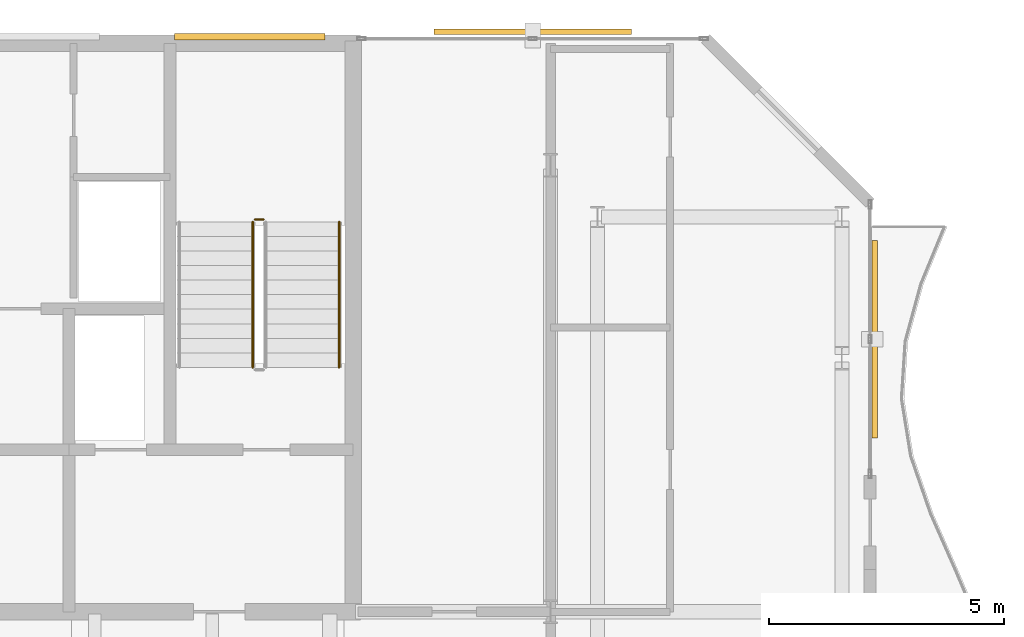
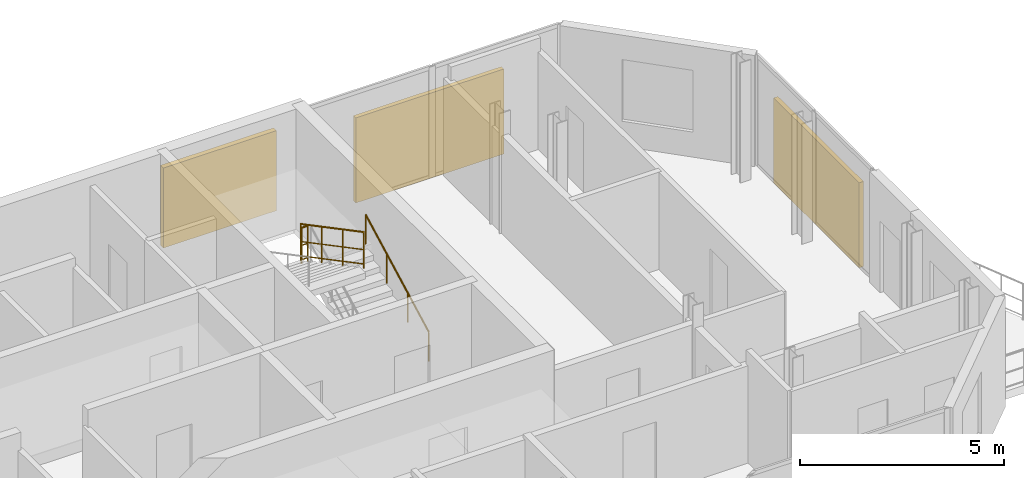
# One storey, part 23 of 23: 3 railings, 3 shading devices.
"""IFC4 building model written with IfcOpenShell, lengths in metres."""

from ifc_helpers import new_model, si_unit, direction, frame, origin, origin_2d, place, context, subcontext, project, spatial, rectangle, circle, extrude, material, type_object, element, save


model = new_model("IFC4")

# Units and contexts
model_context = context("Model", 3, precision=1e-05, world=origin(), true_north=direction((0.0, 1.0)))
body_context = subcontext(model_context, "Body", "Model", "MODEL_VIEW")
ifc_project = project(units=[si_unit("LENGTHUNIT", "METRE"), si_unit("AREAUNIT", "SQUARE_METRE"), si_unit("VOLUMEUNIT", "CUBIC_METRE"), si_unit("PLANEANGLEUNIT", "RADIAN"), si_unit("MASSUNIT", "GRAM", prefix="KILO")], contexts=[model_context])

# Site, building, storey
site_placement = place(None, origin())
site = spatial("IfcSite", under=ifc_project, at=site_placement, CompositionType="ELEMENT")
building_placement = place(site_placement, origin())
building = spatial("IfcBuilding", under=site, at=building_placement, Name="Catumbela Crestline Tower", CompositionType="ELEMENT")
storey_placement = place(building_placement, frame((0.0, 0.0, 193.8)))
storey = spatial("IfcBuildingStorey", under=building, at=storey_placement, Name="L50", CompositionType="ELEMENT", Elevation=193.8)

# Railings
ifc_material_1 = material(Name="Stainless steel EN 1.4401", Category="steel")
railing_type_1 = type_object("IfcRailingType", Name="RG-1100", PredefinedType="GUARDRAIL", material=ifc_material_1)
railing_1_placement = place(storey_placement, frame((38.09, 39.15, 1.8)))
element("IfcRailing", 1, at=railing_1_placement, inside=storey, type_object=railing_type_1, Name="L50 ST-02 stair guard 2", PredefinedType="GUARDRAIL", context=body_context, shape_type="SweptSolid", body=[
    extrude(circle(Radius=0.024, at=origin_2d()), frame((0.0, 0.0, 1.076), z_axis=(-1.0, 0.0, 0.0), x_axis=(0.0, -1.0, 0.0)), (0.0, 0.0, 1.0), 0.18),
    extrude(circle(Radius=0.0156, at=origin_2d()), frame((0.0, 0.0, 0.55), z_axis=(-1.0, 0.0, 0.0), x_axis=(0.0, -1.0, 0.0)), (0.0, 0.0, 1.0), 0.18),
    extrude(circle(Radius=0.0156, at=origin_2d()), frame((0.0, 0.0, 0.12), z_axis=(-1.0, 0.0, 0.0), x_axis=(0.0, -1.0, 0.0)), (0.0, 0.0, 1.0), 0.18),
    extrude(circle(Radius=0.021, at=origin_2d()), origin(), (0.0, 0.0, 1.0), 1.052),
    extrude(circle(Radius=0.021, at=origin_2d()), frame((-0.18, 0.0, 0.0)), (0.0, 0.0, 1.0), 1.052),
])
railing_2_placement = place(storey_placement, frame((37.86, 39.1, 1.9636)))
element("IfcRailing", 2, at=railing_2_placement, inside=storey, type_object=railing_type_1, Name="L50 ST-02 stair guard 3", PredefinedType="GUARDRAIL", context=body_context, shape_type="SweptSolid", body=[
    extrude(circle(Radius=0.024, at=origin_2d()), frame((0.0, 0.0, 1.076), z_axis=(0.0, -0.884350731049, 0.466823076222), x_axis=(1.0, 0.0, 0.0)), (0.0, 0.0, 1.0), 3.5054),
    extrude(circle(Radius=0.0156, at=origin_2d()), frame((0.0, 0.0, 0.55), z_axis=(0.0, -0.884350731049, 0.466823076222), x_axis=(1.0, 0.0, 0.0)), (0.0, 0.0, 1.0), 3.5054),
    extrude(circle(Radius=0.0156, at=origin_2d()), frame((0.0, 0.0, 0.12), z_axis=(0.0, -0.884350731049, 0.466823076222), x_axis=(1.0, 0.0, 0.0)), (0.0, 0.0, 1.0), 3.5054),
    extrude(circle(Radius=0.021, at=origin_2d()), origin(), (0.0, 0.0, 1.0), 1.052),
    extrude(circle(Radius=0.021, at=origin_2d()), frame((0.0, -1.0333, 0.5455)), (0.0, 0.0, 1.0), 1.052),
    extrude(circle(Radius=0.021, at=origin_2d()), frame((0.0, -2.0667, 1.0909)), (0.0, 0.0, 1.0), 1.052),
    extrude(circle(Radius=0.021, at=origin_2d()), frame((0.0, -3.1, 1.6364)), (0.0, 0.0, 1.0), 1.052),
])
railing_type_2 = type_object("IfcRailingType", Name="RH-0900", PredefinedType="HANDRAIL", material=ifc_material_1)
railing_3_placement = place(storey_placement, frame((39.7, 36.0, 0.1636)))
element("IfcRailing", 3, at=railing_3_placement, inside=storey, type_object=railing_type_2, Name="L50 ST-02 stair handrail 1", PredefinedType="HANDRAIL", context=body_context, shape_type="SweptSolid", body=[
    extrude(circle(Radius=0.024, at=origin_2d()), frame((0.0, 0.0, 0.876), z_axis=(0.0, 0.884350731049, 0.466823076222), x_axis=(-1.0, 0.0, 0.0)), (0.0, 0.0, 1.0), 3.5054),
    extrude(circle(Radius=0.021, at=origin_2d()), origin(), (0.0, 0.0, 1.0), 0.852),
    extrude(circle(Radius=0.021, at=origin_2d()), frame((0.0, 1.0333, 0.5455)), (0.0, 0.0, 1.0), 0.852),
    extrude(circle(Radius=0.021, at=origin_2d()), frame((0.0, 2.0667, 1.0909)), (0.0, 0.0, 1.0), 0.852),
    extrude(circle(Radius=0.021, at=origin_2d()), frame((0.0, 3.1, 1.6364)), (0.0, 0.0, 1.0), 0.852),
])

# Shading devices
ifc_material_2 = material(Name="Extruded terracotta ceramic", Category="masonry")
shading_device_type_1 = type_object("IfcShadingDeviceType", Name="ST-180", PredefinedType="USERDEFINED", material=ifc_material_2)
shading_device_1_placement = place(storey_placement, frame((51.099, 36.6, -0.1), z_axis=(0.0, 0.0, 1.0), x_axis=(0.0, 1.0, 0.0)))
element("IfcShadingDevice", 4, at=shading_device_1_placement, inside=storey, type_object=shading_device_type_1, Name="L50 Perforated Terracotta Solar Screen 598 (180 mm)", ObjectType="SCREEN", PredefinedType="USERDEFINED", context=body_context, shape_type="SweptSolid", body=[
    extrude(rectangle(XDim=4.2, YDim=0.12, at=origin_2d()), origin(), (0.0, 0.0, 1.0), 2.55),
])
shading_device_type_2 = type_object("IfcShadingDeviceType", Name="ST-260", PredefinedType="USERDEFINED", material=ifc_material_2)
shading_device_2_placement = place(storey_placement, frame((43.82, 43.143, -0.1), z_axis=(0.0, 0.0, 1.0), x_axis=(-1.0, 0.0, 0.0)))
element("IfcShadingDevice", 5, at=shading_device_2_placement, inside=storey, type_object=shading_device_type_2, Name="L50 Perforated Terracotta Solar Screen 599 (260 mm)", ObjectType="SCREEN", PredefinedType="USERDEFINED", context=body_context, shape_type="SweptSolid", body=[
    extrude(rectangle(XDim=4.2, YDim=0.12, at=origin_2d()), origin(), (0.0, 0.0, 1.0), 2.55),
])
shading_device_type_3 = type_object("IfcShadingDeviceType", Name="ST-340", PredefinedType="USERDEFINED", material=ifc_material_2)
shading_device_3_placement = place(storey_placement, frame((37.8, 43.04, 0.55), z_axis=(0.0, 0.0, 1.0), x_axis=(1.0, 0.0, 0.0)))
element("IfcShadingDevice", 6, at=shading_device_3_placement, inside=storey, type_object=shading_device_type_3, Name="L50 Rear Core Terracotta Brise-Soleil Screen 591", ObjectType="SCREEN", PredefinedType="USERDEFINED", context=body_context, shape_type="SweptSolid", body=[
    extrude(rectangle(XDim=3.2, YDim=0.14, at=origin_2d()), origin(), (0.0, 0.0, 1.0), 2.4),
])

save(model, "model.ifc")
